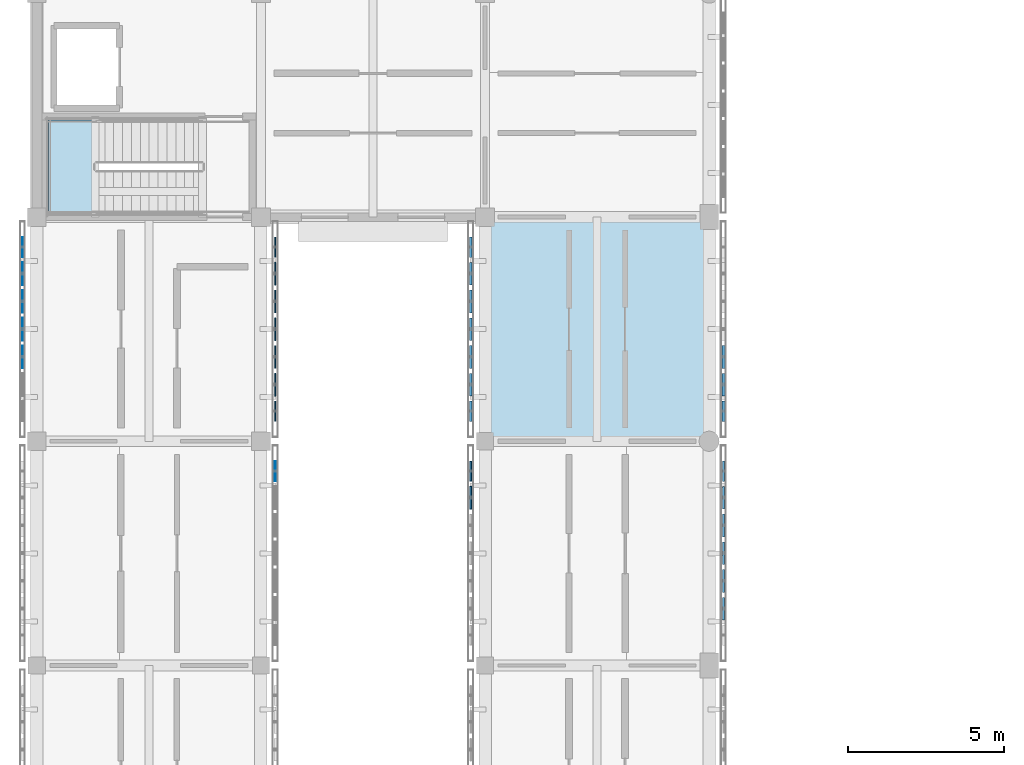
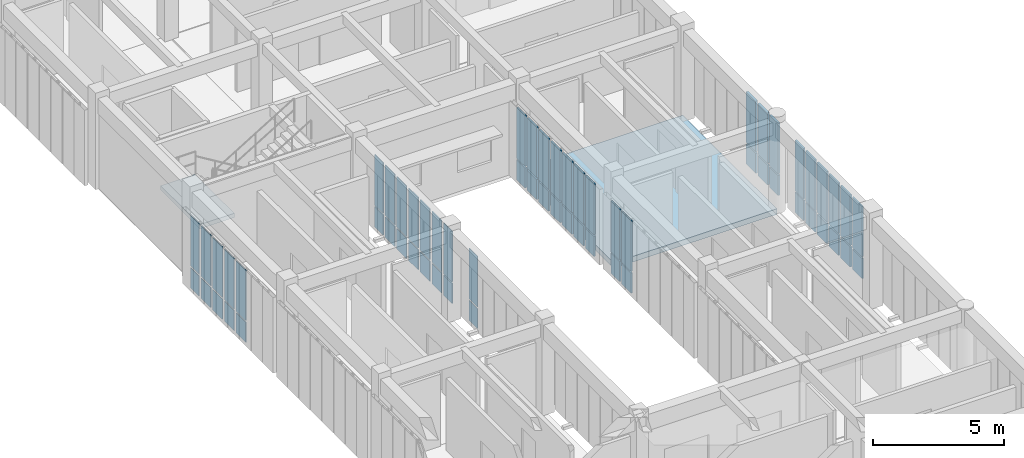
# One storey, part 94 of 171: 62 plates, 2 slabs, 8 elements without a shape of their own.
"""IFC4 building model written with IfcOpenShell, lengths in metres."""

from ifc_helpers import new_model, si_unit, direction, frame, origin, origin_2d, place, context, subcontext, project, spatial, polyline, rectangle, outline, extrude, material, layer, layer_set, type_object, element, aggregate, save


model = new_model("IFC4")

# Units and contexts
model_context = context("Model", 3, precision=1e-05, world=origin(), true_north=direction((0.0, 1.0)))
body_context = subcontext(model_context, "Body", "Model", "MODEL_VIEW")
ifc_project = project(units=[si_unit("LENGTHUNIT", "METRE"), si_unit("AREAUNIT", "SQUARE_METRE"), si_unit("VOLUMEUNIT", "CUBIC_METRE"), si_unit("PLANEANGLEUNIT", "RADIAN"), si_unit("MASSUNIT", "GRAM", prefix="KILO")], contexts=[model_context])

# Site, building, storey
site_placement = place(None, origin())
site = spatial("IfcSite", under=ifc_project, at=site_placement, CompositionType="ELEMENT")
building_placement = place(site_placement, origin())
building = spatial("IfcBuilding", under=site, at=building_placement, Name="Aldebral Square Health Centre", CompositionType="ELEMENT")
storey_placement = place(building_placement, frame((0.0, 0.0, 4.5)))
storey = spatial("IfcBuildingStorey", under=building, at=storey_placement, Name="L01", CompositionType="ELEMENT", Elevation=4.5)

# Curtain wall, plates
ifc_material_1 = material(Name="Aluminium and low-E solar glass", Category="aluminium")
curtain_wall_type = type_object("IfcCurtainWallType", Name="CW-FIN-SYS", PredefinedType="USERDEFINED", material=ifc_material_1)
curtain_wall_1_placement = place(storey_placement, origin())
curtain_wall_1 = element("IfcCurtainWall", 1, at=curtain_wall_1_placement, inside=storey, type_object=curtain_wall_type, Name="L01 V6 finned curtain wall L01-V6-00-02-E", ObjectType="SOLAR_CURTAIN_WALL", PredefinedType="USERDEFINED")
ifc_material_2 = material(Name="Solar-control low-E double glass", Category="glass")
ifc_layer_1 = layer(ifc_material_2, 0.02001953125, Name="Solar-control low-E double glass", Category="glass")
ifc_layer_set_1 = layer_set([ifc_layer_1], Name="Solar-control low-E double glass")
plate_type_1 = type_object("IfcPlateType", Name="CWP-GLZ-1", PredefinedType="CURTAIN_PANEL", material=ifc_layer_set_1)
plate_1_placement = place(storey_placement, frame((7.659912109375, 20.63427734375, 0.074951171875), z_axis=(0.0, 0.0, 1.0), x_axis=(0.0, 1.0, 0.0)))
plate_1 = element("IfcPlate", 2, at=plate_1_placement, type_object=plate_type_1, Name="CW1 panel 7.1", PredefinedType="CURTAIN_PANEL", context=body_context, shape_type="SweptSolid", body=[
    extrude(rectangle(XDim=0.6513671875, YDim=0.02001953125, at=origin_2d()), origin(), (0.0, 0.0, 1.0), 0.9375),
])
plate_2_placement = place(storey_placement, frame((7.659912109375, 20.63427734375, 1.087646484375), z_axis=(0.0, 0.0, 1.0), x_axis=(0.0, 1.0, 0.0)))
plate_2 = element("IfcPlate", 3, at=plate_2_placement, type_object=plate_type_1, Name="CW1 panel 7.2", PredefinedType="CURTAIN_PANEL", context=body_context, shape_type="SweptSolid", body=[
    extrude(rectangle(XDim=0.6513671875, YDim=0.02001953125, at=origin_2d()), origin(), (0.0, 0.0, 1.0), 2.357421875),
])
aggregate(curtain_wall_1, [plate_1, plate_2])

curtain_wall_2_placement = place(storey_placement, origin())
curtain_wall_2 = element("IfcCurtainWall", 4, at=curtain_wall_2_placement, inside=storey, type_object=curtain_wall_type, Name="L01 V6 finned curtain wall L01-V6-00-03-W", ObjectType="SOLAR_CURTAIN_WALL", PredefinedType="USERDEFINED")
ifc_layer_2 = layer(ifc_material_2, 0.030029296875, Name="Solar-control low-E double glass", Category="glass")
ifc_layer_set_2 = layer_set([ifc_layer_2], Name="Solar-control low-E double glass")
plate_type_2 = type_object("IfcPlateType", Name="CWP-GLZ-2", PredefinedType="CURTAIN_PANEL", material=ifc_layer_set_2)
plate_3_placement = place(storey_placement, frame((-0.4599609375, 27.834228515625, 0.074951171875), z_axis=(0.0, 0.0, 1.0), x_axis=(0.0, -1.0, 0.0)))
plate_3 = element("IfcPlate", 5, at=plate_3_placement, type_object=plate_type_2, Name="CW1 panel 1.1", PredefinedType="CURTAIN_PANEL", context=body_context, shape_type="SweptSolid", body=[
    extrude(rectangle(XDim=0.6513671875, YDim=0.030029296875, at=origin_2d()), origin(), (0.0, 0.0, 1.0), 0.9375),
])
plate_4_placement = place(storey_placement, frame((-0.4599609375, 27.834228515625, 1.087646484375), z_axis=(0.0, 0.0, 1.0), x_axis=(0.0, -1.0, 0.0)))
plate_4 = element("IfcPlate", 6, at=plate_4_placement, type_object=plate_type_2, Name="CW1 panel 1.2", PredefinedType="CURTAIN_PANEL", context=body_context, shape_type="SweptSolid", body=[
    extrude(rectangle(XDim=0.6513671875, YDim=0.030029296875, at=origin_2d()), origin(), (0.0, 0.0, 1.0), 2.357421875),
])
plate_5_placement = place(storey_placement, frame((-0.4599609375, 26.98291015625, 0.074951171875), z_axis=(0.0, 0.0, 1.0), x_axis=(0.0, -1.0, 0.0)))
plate_5 = element("IfcPlate", 7, at=plate_5_placement, type_object=plate_type_2, Name="CW1 panel 2.1", PredefinedType="CURTAIN_PANEL", context=body_context, shape_type="SweptSolid", body=[
    extrude(rectangle(XDim=0.7314453125, YDim=0.030029296875, at=origin_2d()), origin(), (0.0, 0.0, 1.0), 0.9375),
])
plate_6_placement = place(storey_placement, frame((-0.4599609375, 26.98291015625, 1.087646484375), z_axis=(0.0, 0.0, 1.0), x_axis=(0.0, -1.0, 0.0)))
plate_6 = element("IfcPlate", 8, at=plate_6_placement, type_object=plate_type_2, Name="CW1 panel 2.2", PredefinedType="CURTAIN_PANEL", context=body_context, shape_type="SweptSolid", body=[
    extrude(rectangle(XDim=0.7314453125, YDim=0.030029296875, at=origin_2d()), origin(), (0.0, 0.0, 1.0), 2.357421875),
])
plate_7_placement = place(storey_placement, frame((-0.4599609375, 26.09130859375, 0.074951171875), z_axis=(0.0, 0.0, 1.0), x_axis=(0.0, -1.0, 0.0)))
plate_7 = element("IfcPlate", 9, at=plate_7_placement, type_object=plate_type_2, Name="CW1 panel 3.1", PredefinedType="CURTAIN_PANEL", context=body_context, shape_type="SweptSolid", body=[
    extrude(rectangle(XDim=0.7314453125, YDim=0.030029296875, at=origin_2d()), origin(), (0.0, 0.0, 1.0), 0.9375),
])
plate_8_placement = place(storey_placement, frame((-0.4599609375, 26.09130859375, 1.087646484375), z_axis=(0.0, 0.0, 1.0), x_axis=(0.0, -1.0, 0.0)))
plate_8 = element("IfcPlate", 10, at=plate_8_placement, type_object=plate_type_2, Name="CW1 panel 3.2", PredefinedType="CURTAIN_PANEL", context=body_context, shape_type="SweptSolid", body=[
    extrude(rectangle(XDim=0.7314453125, YDim=0.030029296875, at=origin_2d()), origin(), (0.0, 0.0, 1.0), 2.357421875),
])
plate_9_placement = place(storey_placement, frame((-0.4599609375, 25.199951171875, 0.074951171875), z_axis=(0.0, 0.0, 1.0), x_axis=(0.0, -1.0, 0.0)))
plate_9 = element("IfcPlate", 11, at=plate_9_placement, type_object=plate_type_2, Name="CW1 panel 4.1", PredefinedType="CURTAIN_PANEL", context=body_context, shape_type="SweptSolid", body=[
    extrude(rectangle(XDim=0.7314453125, YDim=0.030029296875, at=origin_2d()), origin(), (0.0, 0.0, 1.0), 0.9375),
])
plate_10_placement = place(storey_placement, frame((-0.4599609375, 25.199951171875, 1.087646484375), z_axis=(0.0, 0.0, 1.0), x_axis=(0.0, -1.0, 0.0)))
plate_10 = element("IfcPlate", 12, at=plate_10_placement, type_object=plate_type_2, Name="CW1 panel 4.2", PredefinedType="CURTAIN_PANEL", context=body_context, shape_type="SweptSolid", body=[
    extrude(rectangle(XDim=0.7314453125, YDim=0.030029296875, at=origin_2d()), origin(), (0.0, 0.0, 1.0), 2.357421875),
])
plate_11_placement = place(storey_placement, frame((-0.4599609375, 24.30859375, 0.074951171875), z_axis=(0.0, 0.0, 1.0), x_axis=(0.0, -1.0, 0.0)))
plate_11 = element("IfcPlate", 13, at=plate_11_placement, type_object=plate_type_2, Name="CW1 panel 5.1", PredefinedType="CURTAIN_PANEL", context=body_context, shape_type="SweptSolid", body=[
    extrude(rectangle(XDim=0.7314453125, YDim=0.030029296875, at=origin_2d()), origin(), (0.0, 0.0, 1.0), 0.9375),
])
plate_12_placement = place(storey_placement, frame((-0.4599609375, 24.30859375, 1.087646484375), z_axis=(0.0, 0.0, 1.0), x_axis=(0.0, -1.0, 0.0)))
plate_12 = element("IfcPlate", 14, at=plate_12_placement, type_object=plate_type_2, Name="CW1 panel 5.2", PredefinedType="CURTAIN_PANEL", context=body_context, shape_type="SweptSolid", body=[
    extrude(rectangle(XDim=0.7314453125, YDim=0.030029296875, at=origin_2d()), origin(), (0.0, 0.0, 1.0), 2.357421875),
])
aggregate(curtain_wall_2, [plate_3, plate_4, plate_5, plate_6, plate_7, plate_8, plate_9, plate_10, plate_11, plate_12])

curtain_wall_3_placement = place(storey_placement, origin())
curtain_wall_3 = element("IfcCurtainWall", 15, at=curtain_wall_3_placement, inside=storey, type_object=curtain_wall_type, Name="L01 V6 finned curtain wall L01-V6-00-03-E", ObjectType="SOLAR_CURTAIN_WALL", PredefinedType="USERDEFINED")
ifc_layer_3 = layer(ifc_material_2, 0.0400390625, Name="Solar-control low-E double glass", Category="glass")
ifc_layer_set_3 = layer_set([ifc_layer_3], Name="Solar-control low-E double glass")
plate_type_3 = type_object("IfcPlateType", Name="CWP-GLZ-3", PredefinedType="CURTAIN_PANEL", material=ifc_layer_set_3)
plate_13_placement = place(storey_placement, frame((7.659912109375, 22.565673828125, 0.074951171875), z_axis=(0.0, 0.0, 1.0), x_axis=(0.0, 1.0, 0.0)))
plate_13 = element("IfcPlate", 16, at=plate_13_placement, type_object=plate_type_3, Name="CW1 panel 1.1", PredefinedType="CURTAIN_PANEL", context=body_context, shape_type="SweptSolid", body=[
    extrude(rectangle(XDim=0.6513671875, YDim=0.0400390625, at=origin_2d()), origin(), (0.0, 0.0, 1.0), 0.9375),
])
plate_14_placement = place(storey_placement, frame((7.659912109375, 22.565673828125, 1.087646484375), z_axis=(0.0, 0.0, 1.0), x_axis=(0.0, 1.0, 0.0)))
plate_14 = element("IfcPlate", 17, at=plate_14_placement, type_object=plate_type_3, Name="CW1 panel 1.2", PredefinedType="CURTAIN_PANEL", context=body_context, shape_type="SweptSolid", body=[
    extrude(rectangle(XDim=0.6513671875, YDim=0.0400390625, at=origin_2d()), origin(), (0.0, 0.0, 1.0), 2.357421875),
])
plate_15_placement = place(storey_placement, frame((7.659912109375, 23.417236328125, 0.074951171875), z_axis=(0.0, 0.0, 1.0), x_axis=(0.0, 1.0, 0.0)))
plate_15 = element("IfcPlate", 18, at=plate_15_placement, type_object=plate_type_3, Name="CW1 panel 2.1", PredefinedType="CURTAIN_PANEL", context=body_context, shape_type="SweptSolid", body=[
    extrude(rectangle(XDim=0.7314453125, YDim=0.0400390625, at=origin_2d()), origin(), (0.0, 0.0, 1.0), 0.9375),
])
plate_16_placement = place(storey_placement, frame((7.659912109375, 23.417236328125, 1.087646484375), z_axis=(0.0, 0.0, 1.0), x_axis=(0.0, 1.0, 0.0)))
plate_16 = element("IfcPlate", 19, at=plate_16_placement, type_object=plate_type_3, Name="CW1 panel 2.2", PredefinedType="CURTAIN_PANEL", context=body_context, shape_type="SweptSolid", body=[
    extrude(rectangle(XDim=0.7314453125, YDim=0.0400390625, at=origin_2d()), origin(), (0.0, 0.0, 1.0), 2.357421875),
])
plate_17_placement = place(storey_placement, frame((7.659912109375, 24.30859375, 0.074951171875), z_axis=(0.0, 0.0, 1.0), x_axis=(0.0, 1.0, 0.0)))
plate_17 = element("IfcPlate", 20, at=plate_17_placement, type_object=plate_type_3, Name="CW1 panel 3.1", PredefinedType="CURTAIN_PANEL", context=body_context, shape_type="SweptSolid", body=[
    extrude(rectangle(XDim=0.7314453125, YDim=0.0400390625, at=origin_2d()), origin(), (0.0, 0.0, 1.0), 0.9375),
])
plate_18_placement = place(storey_placement, frame((7.659912109375, 24.30859375, 1.087646484375), z_axis=(0.0, 0.0, 1.0), x_axis=(0.0, 1.0, 0.0)))
plate_18 = element("IfcPlate", 21, at=plate_18_placement, type_object=plate_type_3, Name="CW1 panel 3.2", PredefinedType="CURTAIN_PANEL", context=body_context, shape_type="SweptSolid", body=[
    extrude(rectangle(XDim=0.7314453125, YDim=0.0400390625, at=origin_2d()), origin(), (0.0, 0.0, 1.0), 2.357421875),
])
plate_19_placement = place(storey_placement, frame((7.659912109375, 25.199951171875, 0.074951171875), z_axis=(0.0, 0.0, 1.0), x_axis=(0.0, 1.0, 0.0)))
plate_19 = element("IfcPlate", 22, at=plate_19_placement, type_object=plate_type_3, Name="CW1 panel 4.1", PredefinedType="CURTAIN_PANEL", context=body_context, shape_type="SweptSolid", body=[
    extrude(rectangle(XDim=0.7314453125, YDim=0.0400390625, at=origin_2d()), origin(), (0.0, 0.0, 1.0), 0.9375),
])
plate_20_placement = place(storey_placement, frame((7.659912109375, 25.199951171875, 1.087646484375), z_axis=(0.0, 0.0, 1.0), x_axis=(0.0, 1.0, 0.0)))
plate_20 = element("IfcPlate", 23, at=plate_20_placement, type_object=plate_type_3, Name="CW1 panel 4.2", PredefinedType="CURTAIN_PANEL", context=body_context, shape_type="SweptSolid", body=[
    extrude(rectangle(XDim=0.7314453125, YDim=0.0400390625, at=origin_2d()), origin(), (0.0, 0.0, 1.0), 2.357421875),
])
plate_21_placement = place(storey_placement, frame((7.659912109375, 26.09130859375, 0.074951171875), z_axis=(0.0, 0.0, 1.0), x_axis=(0.0, 1.0, 0.0)))
plate_21 = element("IfcPlate", 24, at=plate_21_placement, type_object=plate_type_3, Name="CW1 panel 5.1", PredefinedType="CURTAIN_PANEL", context=body_context, shape_type="SweptSolid", body=[
    extrude(rectangle(XDim=0.7314453125, YDim=0.0400390625, at=origin_2d()), origin(), (0.0, 0.0, 1.0), 0.9375),
])
plate_22_placement = place(storey_placement, frame((7.659912109375, 26.09130859375, 1.087646484375), z_axis=(0.0, 0.0, 1.0), x_axis=(0.0, 1.0, 0.0)))
plate_22 = element("IfcPlate", 25, at=plate_22_placement, type_object=plate_type_3, Name="CW1 panel 5.2", PredefinedType="CURTAIN_PANEL", context=body_context, shape_type="SweptSolid", body=[
    extrude(rectangle(XDim=0.7314453125, YDim=0.0400390625, at=origin_2d()), origin(), (0.0, 0.0, 1.0), 2.357421875),
])
plate_23_placement = place(storey_placement, frame((7.659912109375, 26.98291015625, 0.074951171875), z_axis=(0.0, 0.0, 1.0), x_axis=(0.0, 1.0, 0.0)))
plate_23 = element("IfcPlate", 26, at=plate_23_placement, type_object=plate_type_3, Name="CW1 panel 6.1", PredefinedType="CURTAIN_PANEL", context=body_context, shape_type="SweptSolid", body=[
    extrude(rectangle(XDim=0.7314453125, YDim=0.0400390625, at=origin_2d()), origin(), (0.0, 0.0, 1.0), 0.9375),
])
plate_24_placement = place(storey_placement, frame((7.659912109375, 26.98291015625, 1.087646484375), z_axis=(0.0, 0.0, 1.0), x_axis=(0.0, 1.0, 0.0)))
plate_24 = element("IfcPlate", 27, at=plate_24_placement, type_object=plate_type_3, Name="CW1 panel 6.2", PredefinedType="CURTAIN_PANEL", context=body_context, shape_type="SweptSolid", body=[
    extrude(rectangle(XDim=0.7314453125, YDim=0.0400390625, at=origin_2d()), origin(), (0.0, 0.0, 1.0), 2.357421875),
])
plate_25_placement = place(storey_placement, frame((7.659912109375, 27.834228515625, 0.074951171875), z_axis=(0.0, 0.0, 1.0), x_axis=(0.0, 1.0, 0.0)))
plate_25 = element("IfcPlate", 28, at=plate_25_placement, type_object=plate_type_3, Name="CW1 panel 7.1", PredefinedType="CURTAIN_PANEL", context=body_context, shape_type="SweptSolid", body=[
    extrude(rectangle(XDim=0.6513671875, YDim=0.0400390625, at=origin_2d()), origin(), (0.0, 0.0, 1.0), 0.9375),
])
plate_26_placement = place(storey_placement, frame((7.659912109375, 27.834228515625, 1.087646484375), z_axis=(0.0, 0.0, 1.0), x_axis=(0.0, 1.0, 0.0)))
plate_26 = element("IfcPlate", 29, at=plate_26_placement, type_object=plate_type_3, Name="CW1 panel 7.2", PredefinedType="CURTAIN_PANEL", context=body_context, shape_type="SweptSolid", body=[
    extrude(rectangle(XDim=0.6513671875, YDim=0.0400390625, at=origin_2d()), origin(), (0.0, 0.0, 1.0), 2.357421875),
])
aggregate(curtain_wall_3, [plate_13, plate_14, plate_15, plate_16, plate_17, plate_18, plate_19, plate_20, plate_21, plate_22, plate_23, plate_24, plate_25, plate_26])

curtain_wall_4_placement = place(storey_placement, origin())
curtain_wall_4 = element("IfcCurtainWall", 30, at=curtain_wall_4_placement, inside=storey, type_object=curtain_wall_type, Name="L01 V6 finned curtain wall L01-V6-02-02-W", ObjectType="SOLAR_CURTAIN_WALL", PredefinedType="USERDEFINED")
ifc_layer_4 = layer(ifc_material_2, 0.06005859375, Name="Solar-control low-E double glass", Category="glass")
ifc_layer_set_4 = layer_set([ifc_layer_4], Name="Solar-control low-E double glass")
plate_type_4 = type_object("IfcPlateType", Name="CWP-GLZ-5", PredefinedType="CURTAIN_PANEL", material=ifc_layer_set_4)
plate_27_placement = place(storey_placement, frame((13.93994140625, 20.63427734375, 0.074951171875), z_axis=(0.0, 0.0, 1.0), x_axis=(0.0, -1.0, 0.0)))
plate_27 = element("IfcPlate", 31, at=plate_27_placement, type_object=plate_type_4, Name="CW1 panel 1.1", PredefinedType="CURTAIN_PANEL", context=body_context, shape_type="SweptSolid", body=[
    extrude(rectangle(XDim=0.6513671875, YDim=0.06005859375, at=origin_2d()), origin(), (0.0, 0.0, 1.0), 0.9375),
])
plate_28_placement = place(storey_placement, frame((13.93994140625, 20.63427734375, 1.087646484375), z_axis=(0.0, 0.0, 1.0), x_axis=(0.0, -1.0, 0.0)))
plate_28 = element("IfcPlate", 32, at=plate_28_placement, type_object=plate_type_4, Name="CW1 panel 1.2", PredefinedType="CURTAIN_PANEL", context=body_context, shape_type="SweptSolid", body=[
    extrude(rectangle(XDim=0.6513671875, YDim=0.06005859375, at=origin_2d()), origin(), (0.0, 0.0, 1.0), 2.357421875),
])
plate_29_placement = place(storey_placement, frame((13.93994140625, 19.782958984375, 0.074951171875), z_axis=(0.0, 0.0, 1.0), x_axis=(0.0, -1.0, 0.0)))
plate_29 = element("IfcPlate", 33, at=plate_29_placement, type_object=plate_type_4, Name="CW1 panel 2.1", PredefinedType="CURTAIN_PANEL", context=body_context, shape_type="SweptSolid", body=[
    extrude(rectangle(XDim=0.7314453125, YDim=0.06005859375, at=origin_2d()), origin(), (0.0, 0.0, 1.0), 0.9375),
])
plate_30_placement = place(storey_placement, frame((13.93994140625, 19.782958984375, 1.087646484375), z_axis=(0.0, 0.0, 1.0), x_axis=(0.0, -1.0, 0.0)))
plate_30 = element("IfcPlate", 34, at=plate_30_placement, type_object=plate_type_4, Name="CW1 panel 2.2", PredefinedType="CURTAIN_PANEL", context=body_context, shape_type="SweptSolid", body=[
    extrude(rectangle(XDim=0.7314453125, YDim=0.06005859375, at=origin_2d()), origin(), (0.0, 0.0, 1.0), 2.357421875),
])
aggregate(curtain_wall_4, [plate_27, plate_28, plate_29, plate_30])

curtain_wall_5_placement = place(storey_placement, origin())
curtain_wall_5 = element("IfcCurtainWall", 35, at=curtain_wall_5_placement, inside=storey, type_object=curtain_wall_type, Name="L01 V6 finned curtain wall L01-V6-02-02-E", ObjectType="SOLAR_CURTAIN_WALL", PredefinedType="USERDEFINED")
ifc_layer_5 = layer(ifc_material_2, 0.070068359375, Name="Solar-control low-E double glass", Category="glass")
ifc_layer_set_5 = layer_set([ifc_layer_5], Name="Solar-control low-E double glass")
plate_type_5 = type_object("IfcPlateType", Name="CWP-GLZ-6", PredefinedType="CURTAIN_PANEL", material=ifc_layer_set_5)
plate_31_placement = place(storey_placement, frame((22.06005859375, 16.217041015625, 0.074951171875), z_axis=(0.0, 0.0, 1.0), x_axis=(0.0, 1.0, 0.0)))
plate_31 = element("IfcPlate", 36, at=plate_31_placement, type_object=plate_type_5, Name="CW1 panel 2.1", PredefinedType="CURTAIN_PANEL", context=body_context, shape_type="SweptSolid", body=[
    extrude(rectangle(XDim=0.7314453125, YDim=0.070068359375, at=origin_2d()), origin(), (0.0, 0.0, 1.0), 0.9375),
])
plate_32_placement = place(storey_placement, frame((22.06005859375, 16.217041015625, 1.087646484375), z_axis=(0.0, 0.0, 1.0), x_axis=(0.0, 1.0, 0.0)))
plate_32 = element("IfcPlate", 37, at=plate_32_placement, type_object=plate_type_5, Name="CW1 panel 2.2", PredefinedType="CURTAIN_PANEL", context=body_context, shape_type="SweptSolid", body=[
    extrude(rectangle(XDim=0.7314453125, YDim=0.070068359375, at=origin_2d()), origin(), (0.0, 0.0, 1.0), 2.357421875),
])
plate_33_placement = place(storey_placement, frame((22.06005859375, 17.108642578125, 0.074951171875), z_axis=(0.0, 0.0, 1.0), x_axis=(0.0, 1.0, 0.0)))
plate_33 = element("IfcPlate", 38, at=plate_33_placement, type_object=plate_type_5, Name="CW1 panel 3.1", PredefinedType="CURTAIN_PANEL", context=body_context, shape_type="SweptSolid", body=[
    extrude(rectangle(XDim=0.7314453125, YDim=0.070068359375, at=origin_2d()), origin(), (0.0, 0.0, 1.0), 0.9375),
])
plate_34_placement = place(storey_placement, frame((22.06005859375, 17.108642578125, 1.087646484375), z_axis=(0.0, 0.0, 1.0), x_axis=(0.0, 1.0, 0.0)))
plate_34 = element("IfcPlate", 39, at=plate_34_placement, type_object=plate_type_5, Name="CW1 panel 3.2", PredefinedType="CURTAIN_PANEL", context=body_context, shape_type="SweptSolid", body=[
    extrude(rectangle(XDim=0.7314453125, YDim=0.070068359375, at=origin_2d()), origin(), (0.0, 0.0, 1.0), 2.357421875),
])
plate_35_placement = place(storey_placement, frame((22.06005859375, 18.0, 0.074951171875), z_axis=(0.0, 0.0, 1.0), x_axis=(0.0, 1.0, 0.0)))
plate_35 = element("IfcPlate", 40, at=plate_35_placement, type_object=plate_type_5, Name="CW1 panel 4.1", PredefinedType="CURTAIN_PANEL", context=body_context, shape_type="SweptSolid", body=[
    extrude(rectangle(XDim=0.7314453125, YDim=0.070068359375, at=origin_2d()), origin(), (0.0, 0.0, 1.0), 0.9375),
])
plate_36_placement = place(storey_placement, frame((22.06005859375, 18.0, 1.087646484375), z_axis=(0.0, 0.0, 1.0), x_axis=(0.0, 1.0, 0.0)))
plate_36 = element("IfcPlate", 41, at=plate_36_placement, type_object=plate_type_5, Name="CW1 panel 4.2", PredefinedType="CURTAIN_PANEL", context=body_context, shape_type="SweptSolid", body=[
    extrude(rectangle(XDim=0.7314453125, YDim=0.070068359375, at=origin_2d()), origin(), (0.0, 0.0, 1.0), 2.357421875),
])
plate_37_placement = place(storey_placement, frame((22.06005859375, 18.891357421875, 0.074951171875), z_axis=(0.0, 0.0, 1.0), x_axis=(0.0, 1.0, 0.0)))
plate_37 = element("IfcPlate", 42, at=plate_37_placement, type_object=plate_type_5, Name="CW1 panel 5.1", PredefinedType="CURTAIN_PANEL", context=body_context, shape_type="SweptSolid", body=[
    extrude(rectangle(XDim=0.7314453125, YDim=0.070068359375, at=origin_2d()), origin(), (0.0, 0.0, 1.0), 0.9375),
])
plate_38_placement = place(storey_placement, frame((22.06005859375, 18.891357421875, 1.087646484375), z_axis=(0.0, 0.0, 1.0), x_axis=(0.0, 1.0, 0.0)))
plate_38 = element("IfcPlate", 43, at=plate_38_placement, type_object=plate_type_5, Name="CW1 panel 5.2", PredefinedType="CURTAIN_PANEL", context=body_context, shape_type="SweptSolid", body=[
    extrude(rectangle(XDim=0.7314453125, YDim=0.070068359375, at=origin_2d()), origin(), (0.0, 0.0, 1.0), 2.357421875),
])
plate_39_placement = place(storey_placement, frame((22.06005859375, 19.782958984375, 0.074951171875), z_axis=(0.0, 0.0, 1.0), x_axis=(0.0, 1.0, 0.0)))
plate_39 = element("IfcPlate", 44, at=plate_39_placement, type_object=plate_type_5, Name="CW1 panel 6.1", PredefinedType="CURTAIN_PANEL", context=body_context, shape_type="SweptSolid", body=[
    extrude(rectangle(XDim=0.7314453125, YDim=0.070068359375, at=origin_2d()), origin(), (0.0, 0.0, 1.0), 0.9375),
])
plate_40_placement = place(storey_placement, frame((22.06005859375, 19.782958984375, 1.087646484375), z_axis=(0.0, 0.0, 1.0), x_axis=(0.0, 1.0, 0.0)))
plate_40 = element("IfcPlate", 45, at=plate_40_placement, type_object=plate_type_5, Name="CW1 panel 6.2", PredefinedType="CURTAIN_PANEL", context=body_context, shape_type="SweptSolid", body=[
    extrude(rectangle(XDim=0.7314453125, YDim=0.070068359375, at=origin_2d()), origin(), (0.0, 0.0, 1.0), 2.357421875),
])
plate_41_placement = place(storey_placement, frame((22.06005859375, 20.63427734375, 0.074951171875), z_axis=(0.0, 0.0, 1.0), x_axis=(0.0, 1.0, 0.0)))
plate_41 = element("IfcPlate", 46, at=plate_41_placement, type_object=plate_type_5, Name="CW1 panel 7.1", PredefinedType="CURTAIN_PANEL", context=body_context, shape_type="SweptSolid", body=[
    extrude(rectangle(XDim=0.6513671875, YDim=0.070068359375, at=origin_2d()), origin(), (0.0, 0.0, 1.0), 0.9375),
])
plate_42_placement = place(storey_placement, frame((22.06005859375, 20.63427734375, 1.087646484375), z_axis=(0.0, 0.0, 1.0), x_axis=(0.0, 1.0, 0.0)))
plate_42 = element("IfcPlate", 47, at=plate_42_placement, type_object=plate_type_5, Name="CW1 panel 7.2", PredefinedType="CURTAIN_PANEL", context=body_context, shape_type="SweptSolid", body=[
    extrude(rectangle(XDim=0.6513671875, YDim=0.070068359375, at=origin_2d()), origin(), (0.0, 0.0, 1.0), 2.357421875),
])
aggregate(curtain_wall_5, [plate_31, plate_32, plate_33, plate_34, plate_35, plate_36, plate_37, plate_38, plate_39, plate_40, plate_41, plate_42])

curtain_wall_6_placement = place(storey_placement, origin())
curtain_wall_6 = element("IfcCurtainWall", 48, at=curtain_wall_6_placement, inside=storey, type_object=curtain_wall_type, Name="L01 V6 finned curtain wall L01-V6-02-03-W", ObjectType="SOLAR_CURTAIN_WALL", PredefinedType="USERDEFINED")
ifc_layer_6 = layer(ifc_material_2, 0.080078125, Name="Solar-control low-E double glass", Category="glass")
ifc_layer_set_6 = layer_set([ifc_layer_6], Name="Solar-control low-E double glass")
plate_type_6 = type_object("IfcPlateType", Name="CWP-GLZ-7", PredefinedType="CURTAIN_PANEL", material=ifc_layer_set_6)
plate_43_placement = place(storey_placement, frame((13.93994140625, 27.834228515625, 0.074951171875), z_axis=(0.0, 0.0, 1.0), x_axis=(0.0, -1.0, 0.0)))
plate_43 = element("IfcPlate", 49, at=plate_43_placement, type_object=plate_type_6, Name="CW1 panel 1.1", PredefinedType="CURTAIN_PANEL", context=body_context, shape_type="SweptSolid", body=[
    extrude(rectangle(XDim=0.6513671875, YDim=0.080078125, at=origin_2d()), origin(), (0.0, 0.0, 1.0), 0.9375),
])
plate_44_placement = place(storey_placement, frame((13.93994140625, 27.834228515625, 1.087646484375), z_axis=(0.0, 0.0, 1.0), x_axis=(0.0, -1.0, 0.0)))
plate_44 = element("IfcPlate", 50, at=plate_44_placement, type_object=plate_type_6, Name="CW1 panel 1.2", PredefinedType="CURTAIN_PANEL", context=body_context, shape_type="SweptSolid", body=[
    extrude(rectangle(XDim=0.6513671875, YDim=0.080078125, at=origin_2d()), origin(), (0.0, 0.0, 1.0), 2.357421875),
])
plate_45_placement = place(storey_placement, frame((13.93994140625, 26.98291015625, 0.074951171875), z_axis=(0.0, 0.0, 1.0), x_axis=(0.0, -1.0, 0.0)))
plate_45 = element("IfcPlate", 51, at=plate_45_placement, type_object=plate_type_6, Name="CW1 panel 2.1", PredefinedType="CURTAIN_PANEL", context=body_context, shape_type="SweptSolid", body=[
    extrude(rectangle(XDim=0.7314453125, YDim=0.080078125, at=origin_2d()), origin(), (0.0, 0.0, 1.0), 0.9375),
])
plate_46_placement = place(storey_placement, frame((13.93994140625, 26.98291015625, 1.087646484375), z_axis=(0.0, 0.0, 1.0), x_axis=(0.0, -1.0, 0.0)))
plate_46 = element("IfcPlate", 52, at=plate_46_placement, type_object=plate_type_6, Name="CW1 panel 2.2", PredefinedType="CURTAIN_PANEL", context=body_context, shape_type="SweptSolid", body=[
    extrude(rectangle(XDim=0.7314453125, YDim=0.080078125, at=origin_2d()), origin(), (0.0, 0.0, 1.0), 2.357421875),
])
plate_47_placement = place(storey_placement, frame((13.93994140625, 26.09130859375, 0.074951171875), z_axis=(0.0, 0.0, 1.0), x_axis=(0.0, -1.0, 0.0)))
plate_47 = element("IfcPlate", 53, at=plate_47_placement, type_object=plate_type_6, Name="CW1 panel 3.1", PredefinedType="CURTAIN_PANEL", context=body_context, shape_type="SweptSolid", body=[
    extrude(rectangle(XDim=0.7314453125, YDim=0.080078125, at=origin_2d()), origin(), (0.0, 0.0, 1.0), 0.9375),
])
plate_48_placement = place(storey_placement, frame((13.93994140625, 26.09130859375, 1.087646484375), z_axis=(0.0, 0.0, 1.0), x_axis=(0.0, -1.0, 0.0)))
plate_48 = element("IfcPlate", 54, at=plate_48_placement, type_object=plate_type_6, Name="CW1 panel 3.2", PredefinedType="CURTAIN_PANEL", context=body_context, shape_type="SweptSolid", body=[
    extrude(rectangle(XDim=0.7314453125, YDim=0.080078125, at=origin_2d()), origin(), (0.0, 0.0, 1.0), 2.357421875),
])
plate_49_placement = place(storey_placement, frame((13.93994140625, 25.199951171875, 0.074951171875), z_axis=(0.0, 0.0, 1.0), x_axis=(0.0, -1.0, 0.0)))
plate_49 = element("IfcPlate", 55, at=plate_49_placement, type_object=plate_type_6, Name="CW1 panel 4.1", PredefinedType="CURTAIN_PANEL", context=body_context, shape_type="SweptSolid", body=[
    extrude(rectangle(XDim=0.7314453125, YDim=0.080078125, at=origin_2d()), origin(), (0.0, 0.0, 1.0), 0.9375),
])
plate_50_placement = place(storey_placement, frame((13.93994140625, 25.199951171875, 1.087646484375), z_axis=(0.0, 0.0, 1.0), x_axis=(0.0, -1.0, 0.0)))
plate_50 = element("IfcPlate", 56, at=plate_50_placement, type_object=plate_type_6, Name="CW1 panel 4.2", PredefinedType="CURTAIN_PANEL", context=body_context, shape_type="SweptSolid", body=[
    extrude(rectangle(XDim=0.7314453125, YDim=0.080078125, at=origin_2d()), origin(), (0.0, 0.0, 1.0), 2.357421875),
])
plate_51_placement = place(storey_placement, frame((13.93994140625, 24.30859375, 0.074951171875), z_axis=(0.0, 0.0, 1.0), x_axis=(0.0, -1.0, 0.0)))
plate_51 = element("IfcPlate", 57, at=plate_51_placement, type_object=plate_type_6, Name="CW1 panel 5.1", PredefinedType="CURTAIN_PANEL", context=body_context, shape_type="SweptSolid", body=[
    extrude(rectangle(XDim=0.7314453125, YDim=0.080078125, at=origin_2d()), origin(), (0.0, 0.0, 1.0), 0.9375),
])
plate_52_placement = place(storey_placement, frame((13.93994140625, 24.30859375, 1.087646484375), z_axis=(0.0, 0.0, 1.0), x_axis=(0.0, -1.0, 0.0)))
plate_52 = element("IfcPlate", 58, at=plate_52_placement, type_object=plate_type_6, Name="CW1 panel 5.2", PredefinedType="CURTAIN_PANEL", context=body_context, shape_type="SweptSolid", body=[
    extrude(rectangle(XDim=0.7314453125, YDim=0.080078125, at=origin_2d()), origin(), (0.0, 0.0, 1.0), 2.357421875),
])
plate_53_placement = place(storey_placement, frame((13.93994140625, 23.417236328125, 0.074951171875), z_axis=(0.0, 0.0, 1.0), x_axis=(0.0, -1.0, 0.0)))
plate_53 = element("IfcPlate", 59, at=plate_53_placement, type_object=plate_type_6, Name="CW1 panel 6.1", PredefinedType="CURTAIN_PANEL", context=body_context, shape_type="SweptSolid", body=[
    extrude(rectangle(XDim=0.7314453125, YDim=0.080078125, at=origin_2d()), origin(), (0.0, 0.0, 1.0), 0.9375),
])
plate_54_placement = place(storey_placement, frame((13.93994140625, 23.417236328125, 1.087646484375), z_axis=(0.0, 0.0, 1.0), x_axis=(0.0, -1.0, 0.0)))
plate_54 = element("IfcPlate", 60, at=plate_54_placement, type_object=plate_type_6, Name="CW1 panel 6.2", PredefinedType="CURTAIN_PANEL", context=body_context, shape_type="SweptSolid", body=[
    extrude(rectangle(XDim=0.7314453125, YDim=0.080078125, at=origin_2d()), origin(), (0.0, 0.0, 1.0), 2.357421875),
])
plate_55_placement = place(storey_placement, frame((13.93994140625, 22.565673828125, 0.074951171875), z_axis=(0.0, 0.0, 1.0), x_axis=(0.0, -1.0, 0.0)))
plate_55 = element("IfcPlate", 61, at=plate_55_placement, type_object=plate_type_6, Name="CW1 panel 7.1", PredefinedType="CURTAIN_PANEL", context=body_context, shape_type="SweptSolid", body=[
    extrude(rectangle(XDim=0.6513671875, YDim=0.080078125, at=origin_2d()), origin(), (0.0, 0.0, 1.0), 0.9375),
])
plate_56_placement = place(storey_placement, frame((13.93994140625, 22.565673828125, 1.087646484375), z_axis=(0.0, 0.0, 1.0), x_axis=(0.0, -1.0, 0.0)))
plate_56 = element("IfcPlate", 62, at=plate_56_placement, type_object=plate_type_6, Name="CW1 panel 7.2", PredefinedType="CURTAIN_PANEL", context=body_context, shape_type="SweptSolid", body=[
    extrude(rectangle(XDim=0.6513671875, YDim=0.080078125, at=origin_2d()), origin(), (0.0, 0.0, 1.0), 2.357421875),
])
aggregate(curtain_wall_6, [plate_43, plate_44, plate_45, plate_46, plate_47, plate_48, plate_49, plate_50, plate_51, plate_52, plate_53, plate_54, plate_55, plate_56])

curtain_wall_7_placement = place(storey_placement, origin())
curtain_wall_7 = element("IfcCurtainWall", 63, at=curtain_wall_7_placement, inside=storey, type_object=curtain_wall_type, Name="L01 V6 finned curtain wall L01-V6-02-03-E", ObjectType="SOLAR_CURTAIN_WALL", PredefinedType="USERDEFINED")
ifc_layer_7 = layer(ifc_material_2, 0.090087890625, Name="Solar-control low-E double glass", Category="glass")
ifc_layer_set_7 = layer_set([ifc_layer_7], Name="Solar-control low-E double glass")
plate_type_7 = type_object("IfcPlateType", Name="CWP-GLZ-8", PredefinedType="CURTAIN_PANEL", material=ifc_layer_set_7)
plate_57_placement = place(storey_placement, frame((22.06005859375, 22.565673828125, 0.074951171875), z_axis=(0.0, 0.0, 1.0), x_axis=(0.0, 1.0, 0.0)))
plate_57 = element("IfcPlate", 64, at=plate_57_placement, type_object=plate_type_7, Name="CW1 panel 1.1", PredefinedType="CURTAIN_PANEL", context=body_context, shape_type="SweptSolid", body=[
    extrude(rectangle(XDim=0.6513671875, YDim=0.090087890625, at=origin_2d()), origin(), (0.0, 0.0, 1.0), 0.9375),
])
plate_58_placement = place(storey_placement, frame((22.06005859375, 22.565673828125, 1.087646484375), z_axis=(0.0, 0.0, 1.0), x_axis=(0.0, 1.0, 0.0)))
plate_58 = element("IfcPlate", 65, at=plate_58_placement, type_object=plate_type_7, Name="CW1 panel 1.2", PredefinedType="CURTAIN_PANEL", context=body_context, shape_type="SweptSolid", body=[
    extrude(rectangle(XDim=0.6513671875, YDim=0.090087890625, at=origin_2d()), origin(), (0.0, 0.0, 1.0), 2.357421875),
])
plate_59_placement = place(storey_placement, frame((22.06005859375, 23.417236328125, 0.074951171875), z_axis=(0.0, 0.0, 1.0), x_axis=(0.0, 1.0, 0.0)))
plate_59 = element("IfcPlate", 66, at=plate_59_placement, type_object=plate_type_7, Name="CW1 panel 2.1", PredefinedType="CURTAIN_PANEL", context=body_context, shape_type="SweptSolid", body=[
    extrude(rectangle(XDim=0.7314453125, YDim=0.090087890625, at=origin_2d()), origin(), (0.0, 0.0, 1.0), 0.9375),
])
plate_60_placement = place(storey_placement, frame((22.06005859375, 23.417236328125, 1.087646484375), z_axis=(0.0, 0.0, 1.0), x_axis=(0.0, 1.0, 0.0)))
plate_60 = element("IfcPlate", 67, at=plate_60_placement, type_object=plate_type_7, Name="CW1 panel 2.2", PredefinedType="CURTAIN_PANEL", context=body_context, shape_type="SweptSolid", body=[
    extrude(rectangle(XDim=0.7314453125, YDim=0.090087890625, at=origin_2d()), origin(), (0.0, 0.0, 1.0), 2.357421875),
])
plate_61_placement = place(storey_placement, frame((22.06005859375, 24.30859375, 0.074951171875), z_axis=(0.0, 0.0, 1.0), x_axis=(0.0, 1.0, 0.0)))
plate_61 = element("IfcPlate", 68, at=plate_61_placement, type_object=plate_type_7, Name="CW1 panel 3.1", PredefinedType="CURTAIN_PANEL", context=body_context, shape_type="SweptSolid", body=[
    extrude(rectangle(XDim=0.7314453125, YDim=0.090087890625, at=origin_2d()), origin(), (0.0, 0.0, 1.0), 0.9375),
])
plate_62_placement = place(storey_placement, frame((22.06005859375, 24.30859375, 1.087646484375), z_axis=(0.0, 0.0, 1.0), x_axis=(0.0, 1.0, 0.0)))
plate_62 = element("IfcPlate", 69, at=plate_62_placement, type_object=plate_type_7, Name="CW1 panel 3.2", PredefinedType="CURTAIN_PANEL", context=body_context, shape_type="SweptSolid", body=[
    extrude(rectangle(XDim=0.7314453125, YDim=0.090087890625, at=origin_2d()), origin(), (0.0, 0.0, 1.0), 2.357421875),
])
aggregate(curtain_wall_7, [plate_57, plate_58, plate_59, plate_60, plate_61, plate_62])

# Slab
ifc_material_3 = material(Name="Concrete C35/45", Category="concrete")
ifc_layer_8 = layer(ifc_material_3, 0.260009765625, Name="Concrete C35/45", Category="concrete")
ifc_layer_set_8 = layer_set([ifc_layer_8], Name="Concrete C35/45")
slab_type_1 = type_object("IfcSlabType", Name="SL-FLR-260", PredefinedType="FLOOR", material=ifc_layer_set_8)
slab_1_placement = place(storey_placement, frame((0.0, 0.0, -0.260009765625)))
element("IfcSlab", 70, at=slab_1_placement, inside=storey, type_object=slab_type_1, Name="L01 V6 floor slab 7", PredefinedType="FLOOR", context=body_context, shape_type="SweptSolid", body=[
    extrude(outline(polyline([(14.39990234375, 21.60009765625), (14.39990234375, 28.800048828125), (21.60009765625, 28.800048828125), (21.60009765625, 21.60009765625), (14.39990234375, 21.60009765625)])), origin(), (0.0, 0.0, 1.0), 0.260009765625),
])

# Stair, slab
stair_type = type_object("IfcStairType", Name="ST-DOG-140", PredefinedType="HALF_TURN_STAIR", material=ifc_material_3)
stair_placement = place(storey_placement, origin())
stair = element("IfcStair", 71, at=stair_placement, inside=storey, type_object=stair_type, Name="L01 ST-05", PredefinedType="HALF_TURN_STAIR")
ifc_layer_9 = layer(ifc_material_3, 0.199951171875, Name="Concrete C35/45", Category="concrete")
ifc_layer_set_9 = layer_set([ifc_layer_9], Name="Concrete C35/45")
slab_type_2 = type_object("IfcSlabType", Name="SL-LND-200", PredefinedType="LANDING", material=ifc_layer_set_9)
slab_2_placement = place(storey_placement, frame((0.0, 0.0, 2.050048828125)))
slab_2 = element("IfcSlab", 72, at=slab_2_placement, type_object=slab_type_2, Name="ST-05 landing 1", PredefinedType="LANDING", context=body_context, shape_type="SweptSolid", body=[
    extrude(outline(polyline([(1.89990234375, 31.919921875), (0.3798828125, 31.919921875), (0.3798828125, 28.919921875), (1.89990234375, 28.919921875), (1.89990234375, 31.919921875)])), origin(), (0.0, 0.0, 1.0), 0.199951171875),
])
aggregate(stair, [slab_2])

save(model, "model.ifc")
